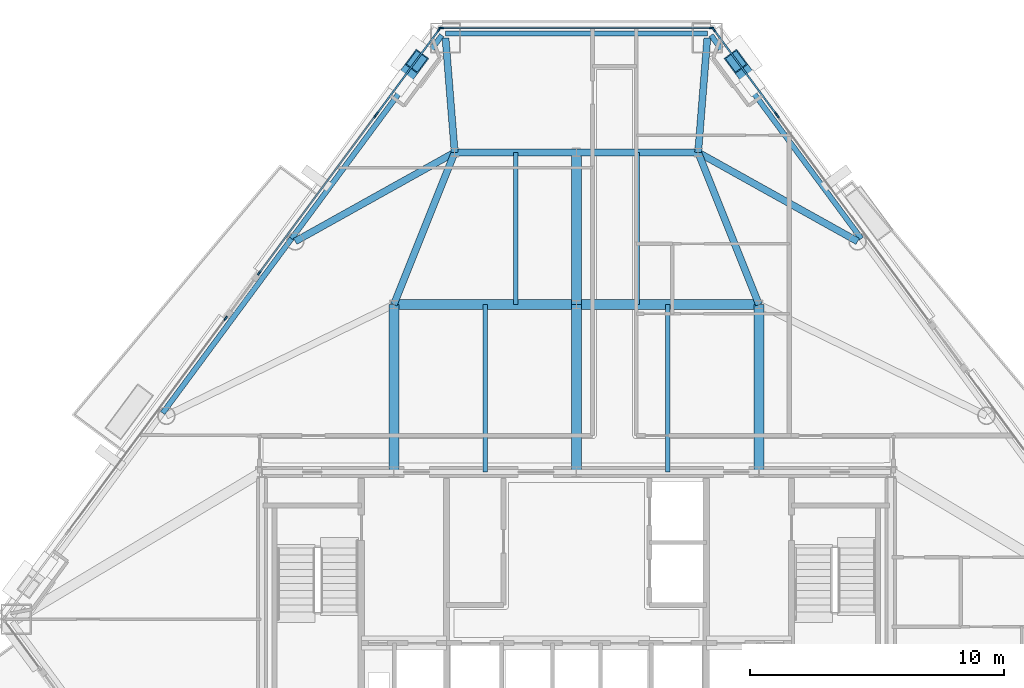
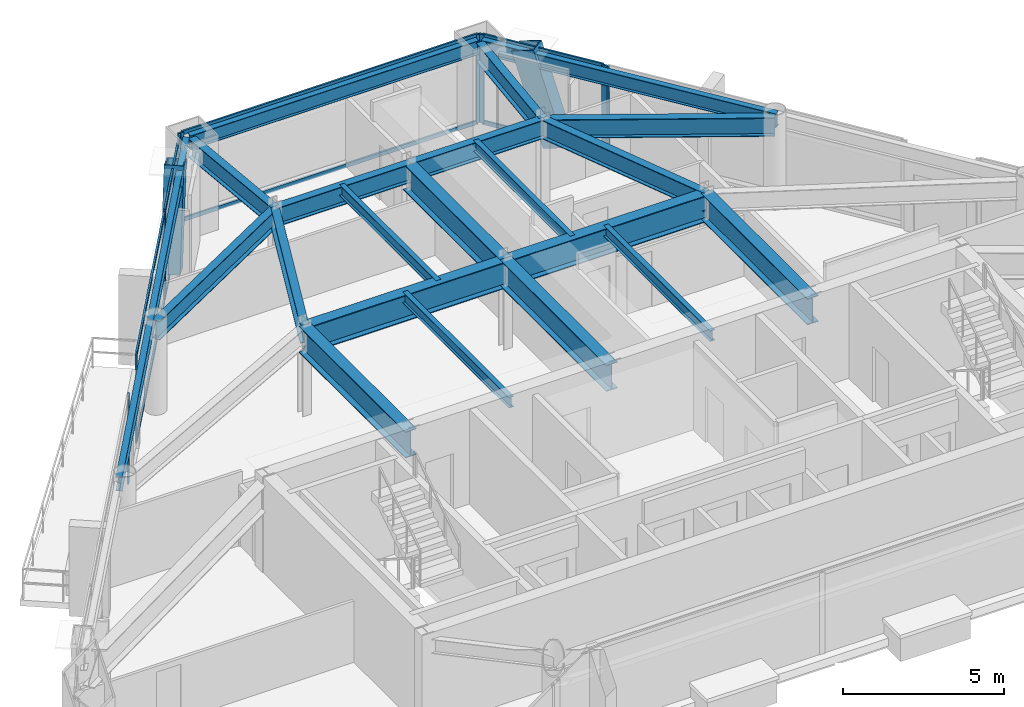
# One storey, part 4 of 11: 22 beams, 20 members, 6 elements without a shape of their own.
"""IFC4 building model written with IfcOpenShell, lengths in metres."""

import ifcopenshell
import ifcopenshell.guid

model = None  # the IFC model being written
_history = None  # IfcOwnerHistory: only IFC2X3 demands one
_inside = {}  # id of a spatial element -> (the spatial element, [elements in it])
_under = {}  # id of a project, library or spatial element -> (it, [spatial elements below it])
_declared = {}  # id of a project -> (the project, [libraries it declares])
_typed = {}  # id of a type object -> (the type object, [elements of that type])
_made_of = {}  # id of a material, layer set ... -> (it, [elements and type objects made of it])


def new_model(schema):
    """Start an empty IFC model of exactly this schema.

    Asked for "IFC4X3", IfcOpenShell would pick the latest addendum, in which some entities
    have other attributes; the version numbers below select the first issue.
    IFC2X3 requires an IfcOwnerHistory on every rooted entity: one is made here for all.
    """
    global model, _history
    if schema == "IFC4X3":
        model = ifcopenshell.file(schema_version=(4, 3, 0, 0))
    else:
        model = ifcopenshell.file(schema=schema)
    _inside.clear()
    _under.clear()
    _declared.clear()
    _typed.clear()
    _made_of.clear()
    _history = None
    if model.schema == "IFC2X3":
        org = make("IfcOrganization", Name="unknown")
        user = make(
            "IfcPersonAndOrganization",
            ThePerson=make("IfcPerson", FamilyName="unknown"),
            TheOrganization=org,
        )
        app = make(
            "IfcApplication",
            ApplicationDeveloper=org,
            Version="unknown",
            ApplicationFullName="unknown",
            ApplicationIdentifier="unknown",
        )
        _history = make(
            "IfcOwnerHistory",
            OwningUser=user,
            OwningApplication=app,
            ChangeAction="ADDED",
            CreationDate=0,
        )
    return model


def make(cls, **values):
    """One entity of the class cls with the attributes given. An attribute that is None is left unset."""
    return model.create_entity(
        cls, **{name: value for name, value in values.items() if value is not None}
    )


def rooted(cls, **values):
    """An entity with a GlobalId (a new one), such as an element, a storey or a relation."""
    return make(cls, GlobalId=ifcopenshell.guid.new(), OwnerHistory=_history, **values)


def si_unit(unit_type, name, prefix=None):
    """IfcSIUnit, for example si_unit("LENGTHUNIT", "METRE", prefix="MILLI")."""
    return make("IfcSIUnit", UnitType=unit_type, Prefix=prefix, Name=name)


def assignment(units):
    """IfcUnitAssignment: the units of a project."""
    return None if units is None else make("IfcUnitAssignment", Units=units)


def point(xyz):
    """IfcCartesianPoint."""
    return None if xyz is None else make("IfcCartesianPoint", Coordinates=xyz)


def direction(xyz):
    """IfcDirection."""
    return None if xyz is None else make("IfcDirection", DirectionRatios=xyz)


def frame(location, z_axis=None, x_axis=None):
    """IfcAxis2Placement3D, a coordinate frame: its origin and axes. An axis left out is left unset."""
    return make(
        "IfcAxis2Placement3D",
        Location=point(location),
        Axis=direction(z_axis),
        RefDirection=direction(x_axis),
    )


def frame_2d(location, x_axis=None):
    """IfcAxis2Placement2D, a coordinate frame in the plane: its origin and x axis."""
    return make(
        "IfcAxis2Placement2D", Location=point(location), RefDirection=direction(x_axis)
    )


def origin():
    """The frame at (0, 0, 0) with its axes left unset."""
    return frame((0.0, 0.0, 0.0))


def origin_2d():
    """The frame at (0, 0) in the plane with its x axis left unset."""
    return frame_2d((0.0, 0.0))


def place(relative_to, where):
    """IfcLocalPlacement: puts the frame where relative to a parent placement (None: the world)."""
    return make(
        "IfcLocalPlacement", PlacementRelTo=relative_to, RelativePlacement=where
    )


def context(
    kind, dimensions, precision=None, world=None, true_north=None, identifier=None
):
    """IfcGeometricRepresentationContext, for example the 3D "Model" context."""
    return make(
        "IfcGeometricRepresentationContext",
        ContextIdentifier=identifier,
        ContextType=kind,
        CoordinateSpaceDimension=dimensions,
        Precision=precision,
        WorldCoordinateSystem=world,
        TrueNorth=true_north,
    )


def subcontext(parent, identifier, kind, view, scale=None):
    """IfcGeometricRepresentationSubContext, for example "Body" below "Model"."""
    return make(
        "IfcGeometricRepresentationSubContext",
        ContextIdentifier=identifier,
        ContextType=kind,
        ParentContext=parent,
        TargetScale=scale,
        TargetView=view,
    )


def project(units=None, contexts=None):
    """IfcProject with its units and contexts."""
    return rooted(
        "IfcProject",
        Name="project",
        RepresentationContexts=contexts,
        UnitsInContext=assignment(units),
    )


def spatial(cls, under=None, at=None, **own):
    """A site, building, storey or space (cls), placed at a placement, below another one or the project."""
    s = rooted(cls, ObjectPlacement=at, **own)
    if under is not None:
        _under.setdefault(under.id(), (under, []))[1].append(s)
    return s


def profile(cls, at=None, kind="AREA", **sizes):
    """A parametric profile (cls). Its sizes go by their IFC names, for example OverallWidth=200.0."""
    return make(cls, ProfileType=kind, Position=at, **sizes)


def rectangle(**sizes):
    """IfcRectangleProfileDef."""
    return profile("IfcRectangleProfileDef", **sizes)


def hollow_rectangle(**sizes):
    """IfcRectangleHollowProfileDef."""
    return profile("IfcRectangleHollowProfileDef", **sizes)


def i_section(**sizes):
    """IfcIShapeProfileDef."""
    return profile("IfcIShapeProfileDef", **sizes)


def extrude(swept, where, along, depth):
    """IfcExtrudedAreaSolid: the profile swept, set in the frame where, extruded along a direction by depth."""
    return make(
        "IfcExtrudedAreaSolid",
        SweptArea=swept,
        Position=where,
        ExtrudedDirection=direction(along),
        Depth=depth,
    )


def shape(context_of_items, identifier, shape_type, items):
    """IfcShapeRepresentation: the items that make up one representation, for example the "Body"."""
    return make(
        "IfcShapeRepresentation",
        ContextOfItems=context_of_items,
        RepresentationIdentifier=identifier,
        RepresentationType=shape_type,
        Items=items,
    )


def material(Name=None, Category=None):
    """IfcMaterial."""
    return make("IfcMaterial", Name=Name, Category=Category)


def layer(
    of_material, thickness, ventilated=None, Name=None, Category=None, Priority=None
):
    """IfcMaterialLayer: one layer of a wall or slab, of a material (None: an air gap)."""
    return make(
        "IfcMaterialLayer",
        Material=of_material,
        LayerThickness=thickness,
        IsVentilated=ventilated,
        Name=Name,
        Category=Category,
        Priority=Priority,
    )


def layer_set(layers, Name=None):
    """IfcMaterialLayerSet."""
    return make("IfcMaterialLayerSet", MaterialLayers=layers, LayerSetName=Name)


def material_profile(
    of_material, cross_section, Name=None, Category=None, Priority=None
):
    """IfcMaterialProfile: a cross section and its material."""
    return make(
        "IfcMaterialProfile",
        Name=Name,
        Material=of_material,
        Profile=cross_section,
        Priority=Priority,
        Category=Category,
    )


def profile_set(profiles, Name=None, composite=None):
    """IfcMaterialProfileSet."""
    return make(
        "IfcMaterialProfileSet",
        Name=Name,
        MaterialProfiles=profiles,
        CompositeProfile=composite,
    )


def made_of(thing, what):
    """Note that an element or type object is made of a material, layer set ...; save() writes the relation."""
    if what is not None:
        _made_of.setdefault(what.id(), (what, []))[1].append(thing)
    return thing


def type_object(cls, material=None, **own):
    """A type object (cls), such as IfcWallType, which elements share."""
    return made_of(rooted(cls, **own), material)


def element(
    cls,
    number,
    at=None,
    inside=None,
    cuts=None,
    type_object=None,
    material=None,
    context=None,
    identifier="Body",
    shape_type=None,
    held_by="IfcProductDefinitionShape",
    body=None,
    shapes=None,
    **own,
):
    """One element of the class cls, such as IfcWall. Its Tag is "e" and its number.

    at: its placement. inside: the storey or other place that contains it. cuts: it is an
    opening in that element (IfcRelVoidsElement). A single representation is given by context,
    identifier, shape_type and body (its items); several are given by shapes. held_by: the class
    of the entity that holds the representations. save() writes the other relations.
    """
    e = rooted(cls, Tag="e%d" % number, ObjectPlacement=at, **own)
    if body is not None:
        shapes = [shape(context, identifier, shape_type, body)]
    if shapes is not None:
        e.Representation = make(held_by, Representations=shapes)
    if inside is not None:
        _inside.setdefault(inside.id(), (inside, []))[1].append(e)
    if cuts is not None:
        rooted(
            "IfcRelVoidsElement", RelatingBuildingElement=cuts, RelatedOpeningElement=e
        )
    if type_object is not None:
        _typed.setdefault(type_object.id(), (type_object, []))[1].append(e)
    return made_of(e, material)


def aggregate(whole, parts):
    """IfcRelAggregates: a whole, such as a stair, and the parts it consists of."""
    return rooted("IfcRelAggregates", RelatingObject=whole, RelatedObjects=parts)


def save(model, path):
    """Write the relations noted so far, then the file.

    IfcRelAggregates (storeys below a building ...), IfcRelContainedInSpatialStructure (elements
    in a storey), IfcRelDefinesByType, IfcRelAssociatesMaterial and IfcRelDeclares: one each for
    every whole, place, type object, material and project.
    """
    for whole, parts in _under.values():
        aggregate(whole, parts)
    for where, things in _inside.values():
        rooted(
            "IfcRelContainedInSpatialStructure",
            RelatedElements=things,
            RelatingStructure=where,
        )
    for kind, things in _typed.values():
        rooted("IfcRelDefinesByType", RelatedObjects=things, RelatingType=kind)
    for what, things in _made_of.values():
        rooted("IfcRelAssociatesMaterial", RelatedObjects=things, RelatingMaterial=what)
    for by, libraries in _declared.values():
        rooted("IfcRelDeclares", RelatingContext=by, RelatedDefinitions=libraries)
    model.write(path)


model = new_model("IFC4")

# Units and contexts
model_context = context("Model", 3, precision=1e-05, world=origin(), true_north=direction((0.0, 1.0)))
body_context = subcontext(model_context, "Body", "Model", "MODEL_VIEW")
ifc_project = project(units=[si_unit("LENGTHUNIT", "METRE"), si_unit("AREAUNIT", "SQUARE_METRE"), si_unit("VOLUMEUNIT", "CUBIC_METRE"), si_unit("PLANEANGLEUNIT", "RADIAN"), si_unit("MASSUNIT", "GRAM", prefix="KILO")], contexts=[model_context])

# Site, building, storey
site_placement = place(None, origin())
site = spatial("IfcSite", under=ifc_project, at=site_placement, CompositionType="ELEMENT")
building_placement = place(site_placement, origin())
building = spatial("IfcBuilding", under=site, at=building_placement, Name="Talgorran Terracotta Tower", CompositionType="ELEMENT")
storey_placement = place(building_placement, frame((0.0, 0.0, 129.300048828125)))
storey = spatial("IfcBuildingStorey", under=building, at=storey_placement, Name="L33", CompositionType="ELEMENT", Elevation=129.300048828125)

# Beams
ifc_material_1 = material(Name="Steel Grade 350 (350L0)", Category="steel")
ifc_material_profile_1 = material_profile(ifc_material_1, i_section(OverallWidth=0.39990234375, OverallDepth=1.0, WebThickness=0.01611328125, FlangeThickness=0.031005859375, at=origin_2d()), Name="1000WB296")
ifc_profile_set_1 = profile_set([ifc_material_profile_1], Name="Steel Grade 350 (350L0)")
beam_type_1 = type_object("IfcBeamType", Name="BM_1000WB296", PredefinedType="BEAM", material=ifc_profile_set_1)
for number, where, z_axis, x_axis, name in (
    (1, (-7.199951171875, -4.199951171875, 2.849853515625), (0.0, 1.0, 0.0), (-1.0, 0.0, 0.0), "L33 Floor Girder G01"),
    (2, (0.0, -4.199951171875, 2.849853515625), (0.0, 1.0, 0.0), (-1.0, 0.0, 0.0), "L33 Floor Girder G02"),
    (3, (7.199951171875, -4.199951171875, 2.849853515625), (0.0, 1.0, 0.0), (-1.0, 0.0, 0.0), "L33 Floor Girder G03"),
):
    element("IfcBeam", number, at=place(storey_placement, frame(where, z_axis=z_axis, x_axis=x_axis)), inside=storey, type_object=beam_type_1, Name=name, PredefinedType="BEAM", context=body_context, shape_type="SweptSolid", body=[
        extrude(i_section(OverallWidth=0.39990234375, OverallDepth=1.0, WebThickness=0.01611328125, FlangeThickness=0.031005859375, at=origin_2d()), origin(), (0.0, 0.0, 1.0), 6.599853515625),
    ])
for number, where, z_axis, x_axis, name in (
    (4, (-7.199951171875, 2.39990234375, 2.849853515625), (1.0, 0.0, 0.0), (0.0, 1.0, 0.0), "L33 Floor Girder G04"),
    (5, (0.0, 2.39990234375, 2.849853515625), (1.0, 0.0, 0.0), (0.0, 1.0, 0.0), "L33 Floor Girder G05"),
):
    element("IfcBeam", number, at=place(storey_placement, frame(where, z_axis=z_axis, x_axis=x_axis)), inside=storey, type_object=beam_type_1, Name=name, PredefinedType="BEAM", context=body_context, shape_type="SweptSolid", body=[
        extrude(i_section(OverallWidth=0.39990234375, OverallDepth=1.0, WebThickness=0.01611328125, FlangeThickness=0.031005859375, at=origin_2d()), origin(), (0.0, 0.0, 1.0), 7.199951171875),
    ])
beam_1_placement = place(storey_placement, frame((0.0, 2.39990234375, 2.849853515625), z_axis=(0.0, 1.0, 0.0), x_axis=(-1.0, 0.0, 0.0)))
element("IfcBeam", 6, at=beam_1_placement, inside=storey, type_object=beam_type_1, Name="L33 Floor Girder G09", PredefinedType="BEAM", context=body_context, shape_type="SweptSolid", body=[
    extrude(i_section(OverallWidth=0.39990234375, OverallDepth=1.0, WebThickness=0.01611328125, FlangeThickness=0.031005859375, at=origin_2d()), origin(), (0.0, 0.0, 1.0), 6.0),
])
ifc_material_2 = material(Name="Steel S355 (300PLUS)", Category="steel")
ifc_material_profile_2 = material_profile(ifc_material_2, i_section(OverallWidth=0.27490234375, OverallDepth=0.7080078125, WebThickness=0.011962890625, FlangeThickness=0.02490234375, at=origin_2d()), Name="700WB173")
ifc_profile_set_2 = profile_set([ifc_material_profile_2], Name="Steel S355 (300PLUS)")
beam_type_2 = type_object("IfcBeamType", Name="BM_700WB173", PredefinedType="BEAM", material=ifc_profile_set_2)
for number, where, z_axis, x_axis, name in (
    (7, (-7.199951171875, 2.39990234375, 2.995849609375), (0.371377648723, 0.928481901832, 0.0), (-0.928481901832, 0.371377648723, 0.0), "L33 Floor Girder G08"),
    (8, (7.199951171875, 2.39990234375, 2.995849609375), (-0.371377648723, 0.928481901832, 0.0), (-0.928481901832, -0.371377648723, 0.0), "L33 Floor Girder G10"),
):
    element("IfcBeam", number, at=place(storey_placement, frame(where, z_axis=z_axis, x_axis=x_axis)), inside=storey, type_object=beam_type_2, Name=name, PredefinedType="BEAM", context=body_context, shape_type="SweptSolid", body=[
        extrude(i_section(OverallWidth=0.27490234375, OverallDepth=0.7080078125, WebThickness=0.011962890625, FlangeThickness=0.02490234375, at=origin_2d()), origin(), (0.0, 0.0, 1.0), 6.462158203125),
    ])
for number, where, z_axis, x_axis, name in (
    (9, (-4.800048828125, 8.39990234375, 2.995849609375), (1.0, 0.0, 0.0), (0.0, 1.0, 0.0), "L33 Floor Girder G11"),
    (10, (0.0, 8.39990234375, 2.995849609375), (1.0, 0.0, 0.0), (0.0, 1.0, 0.0), "L33 Floor Girder G12"),
):
    element("IfcBeam", number, at=place(storey_placement, frame(where, z_axis=z_axis, x_axis=x_axis)), inside=storey, type_object=beam_type_2, Name=name, PredefinedType="BEAM", context=body_context, shape_type="SweptSolid", body=[
        extrude(i_section(OverallWidth=0.27490234375, OverallDepth=0.7080078125, WebThickness=0.011962890625, FlangeThickness=0.02490234375, at=origin_2d()), origin(), (0.0, 0.0, 1.0), 4.800048828125),
    ])
for number, where, z_axis, x_axis, name in (
    (11, (-4.800048828125, 8.39990234375, 2.995849609375), (-0.873422120385, -0.48696385864, 0.0), (0.48696385864, -0.873422120385, 0.0), "L33 Floor Girder G13"),
    (12, (4.800048828125, 8.39990234375, 2.995849609375), (0.873422120385, -0.48696385864, 0.0), (0.48696385864, 0.873422120385, 0.0), "L33 Floor Girder G14"),
):
    element("IfcBeam", number, at=place(storey_placement, frame(where, z_axis=z_axis, x_axis=x_axis)), inside=storey, type_object=beam_type_2, Name=name, PredefinedType="BEAM", context=body_context, shape_type="SweptSolid", body=[
        extrude(i_section(OverallWidth=0.27490234375, OverallDepth=0.7080078125, WebThickness=0.011962890625, FlangeThickness=0.02490234375, at=origin_2d()), origin(), (0.0, 0.0, 1.0), 7.199951171875),
    ])
for number, where, z_axis, x_axis, name in (
    (13, (-4.800048828125, 8.39990234375, 2.995849609375), (-0.079850226008, 0.996806872672, 0.0), (-0.996806872672, -0.079850226008, 0.0), "L33 Floor Girder G15"),
    (14, (4.800048828125, 8.39990234375, 2.995849609375), (0.079850226008, 0.996806872672, 0.0), (-0.996806872672, 0.079850226008, 0.0), "L33 Floor Girder G16"),
):
    element("IfcBeam", number, at=place(storey_placement, frame(where, z_axis=z_axis, x_axis=x_axis)), inside=storey, type_object=beam_type_2, Name=name, PredefinedType="BEAM", context=body_context, shape_type="SweptSolid", body=[
        extrude(i_section(OverallWidth=0.27490234375, OverallDepth=0.7080078125, WebThickness=0.011962890625, FlangeThickness=0.02490234375, at=origin_2d()), origin(), (0.0, 0.0, 1.0), 4.528076171875),
    ])
ifc_material_profile_3 = material_profile(ifc_material_2, i_section(OverallWidth=0.177734375, OverallDepth=0.406494140625, WebThickness=0.0078125, FlangeThickness=0.0126953125, at=origin_2d()), Name="410UB59.7")
ifc_profile_set_3 = profile_set([ifc_material_profile_3], Name="Steel S355 (300PLUS)")
beam_type_3 = type_object("IfcBeamType", Name="BM_JS_410UB60", PredefinedType="JOIST", material=ifc_profile_set_3)
for number, where, z_axis, x_axis, name in (
    (15, (-3.60009765625, -4.199951171875, 3.146728515625), (0.0, 1.0, 0.0), (-1.0, 0.0, 0.0), "L33 Secondary Joist J01"),
    (16, (3.60009765625, -4.199951171875, 3.146728515625), (0.0, 1.0, 0.0), (-1.0, 0.0, 0.0), "L33 Secondary Joist J02"),
):
    element("IfcBeam", number, at=place(storey_placement, frame(where, z_axis=z_axis, x_axis=x_axis)), inside=storey, type_object=beam_type_3, Name=name, PredefinedType="JOIST", context=body_context, shape_type="SweptSolid", body=[
        extrude(i_section(OverallWidth=0.177734375, OverallDepth=0.406494140625, WebThickness=0.0078125, FlangeThickness=0.0126953125, at=origin_2d()), origin(), (0.0, 0.0, 1.0), 6.599853515625),
    ])
for number, where, z_axis, x_axis, name in (
    (17, (-2.39990234375, 2.39990234375, 3.146728515625), (0.0, 1.0, 0.0), (-1.0, 0.0, 0.0), "L33 Secondary Joist J03"),
    (18, (2.39990234375, 2.39990234375, 3.146728515625), (0.0, 1.0, 0.0), (-1.0, 0.0, 0.0), "L33 Secondary Joist J04"),
):
    element("IfcBeam", number, at=place(storey_placement, frame(where, z_axis=z_axis, x_axis=x_axis)), inside=storey, type_object=beam_type_3, Name=name, PredefinedType="JOIST", context=body_context, shape_type="SweptSolid", body=[
        extrude(i_section(OverallWidth=0.177734375, OverallDepth=0.406494140625, WebThickness=0.0078125, FlangeThickness=0.0126953125, at=origin_2d()), origin(), (0.0, 0.0, 1.0), 6.0),
    ])
ifc_material_profile_4 = material_profile(ifc_material_2, i_section(OverallWidth=0.209228515625, OverallDepth=0.532958984375, WebThickness=0.01025390625, FlangeThickness=0.015625, at=origin_2d()), Name="530UB92.4")
ifc_profile_set_4 = profile_set([ifc_material_profile_4], Name="Steel S355 (300PLUS)")
beam_type_4 = type_object("IfcBeamType", Name="BM_SP_530UB92", PredefinedType="SPANDREL", material=ifc_profile_set_4)
beam_2_placement = place(storey_placement, frame((11.2333984375, 5.000732421875, 3.08349609375), z_axis=(-0.594348381438, 0.80420768554, 0.0), x_axis=(-0.80420768554, -0.594348381438, 0.0)))
element("IfcBeam", 19, at=beam_2_placement, inside=storey, type_object=beam_type_4, Name="L33 Perimeter Spandrel Beam FC4-MC5", PredefinedType="SPANDREL", context=body_context, shape_type="SweptSolid", body=[
    extrude(i_section(OverallWidth=0.209228515625, OverallDepth=0.532958984375, WebThickness=0.01025390625, FlangeThickness=0.015625, at=origin_2d()), origin(), (0.0, 0.0, 1.0), 9.97216796875),
])
beam_3_placement = place(storey_placement, frame((5.16162109375, 13.093505859375, 3.08349609375), z_axis=(-1.0, 0.0, 0.0), x_axis=(0.0, -1.0, 0.0)))
element("IfcBeam", 20, at=beam_3_placement, inside=storey, type_object=beam_type_4, Name="L33 Perimeter Spandrel Beam MC5-MC6", PredefinedType="SPANDREL", context=body_context, shape_type="SweptSolid", body=[
    extrude(i_section(OverallWidth=0.209228515625, OverallDepth=0.532958984375, WebThickness=0.01025390625, FlangeThickness=0.015625, at=origin_2d()), origin(), (0.0, 0.0, 1.0), 10.3232421875),
])
beam_4_placement = place(storey_placement, frame((-5.306396484375, 13.0205078125, 3.08349609375), z_axis=(-0.594348381438, -0.80420768554, 0.0), x_axis=(0.80420768554, -0.594348381438, 0.0)))
element("IfcBeam", 21, at=beam_4_placement, inside=storey, type_object=beam_type_4, Name="L33 Perimeter Spandrel Beam MC6-FC5", PredefinedType="SPANDREL", context=body_context, shape_type="SweptSolid", body=[
    extrude(i_section(OverallWidth=0.209228515625, OverallDepth=0.532958984375, WebThickness=0.01025390625, FlangeThickness=0.015625, at=origin_2d()), origin(), (0.0, 0.0, 1.0), 9.97216796875),
])
beam_5_placement = place(storey_placement, frame((-11.2333984375, 5.000732421875, 3.08349609375), z_axis=(-0.594373393058, -0.804189200142, 0.0), x_axis=(0.804189200142, -0.594373393058, 0.0)))
element("IfcBeam", 22, at=beam_5_placement, inside=storey, type_object=beam_type_4, Name="L33 Perimeter Spandrel Beam FC5-FC6", PredefinedType="SPANDREL", context=body_context, shape_type="SweptSolid", body=[
    extrude(i_section(OverallWidth=0.209228515625, OverallDepth=0.532958984375, WebThickness=0.01025390625, FlangeThickness=0.015625, at=origin_2d()), origin(), (0.0, 0.0, 1.0), 8.5478515625),
])

# Members
ifc_material_profile_5 = material_profile(ifc_material_1, hollow_rectangle(XDim=0.6201171875, YDim=0.780029296875, WallThickness=0.0419921875, at=origin_2d()), Name="WBOX780X620X42")
ifc_profile_set_5 = profile_set([ifc_material_profile_5], Name="Steel Grade 350 (350L0)")
member_type_1 = type_object("IfcMemberType", Name="MB_MEGA_780", PredefinedType="BRACE", material=ifc_profile_set_5)
for number, where, z_axis, x_axis, name in (
    (23, (6.925537109375, 11.13232421875, -0.025146484375), (-0.17854593632, 0.241554091831, 0.953820197597), (-0.804166664466, -0.594403882694, 0.0), "L33 Exterior Face Mega-Brace MB-2 (NEU)"),
    (24, (-6.925537109375, 11.13232421875, -0.025146484375), (0.17854593632, 0.241554091831, 0.953820197597), (-0.804166664466, 0.594403882694, 0.0), "L33 Exterior Face Mega-Brace MB-2 (NWU)"),
):
    element("IfcMember", number, at=place(storey_placement, frame(where, z_axis=z_axis, x_axis=x_axis)), inside=storey, type_object=member_type_1, Name=name, PredefinedType="BRACE", context=body_context, shape_type="SweptSolid", body=[
        extrude(hollow_rectangle(XDim=0.6201171875, YDim=0.780029296875, WallThickness=0.0419921875, at=origin_2d()), origin(), (0.0, 0.0, 1.0), 3.564697265625),
    ])

# Curtain wall, member
ifc_material_3 = material(Name="Unitised Low-E Double Glazing", Category="glass")
ifc_layer = layer(ifc_material_3, 0.199951171875, Name="CW_SYS2_RES_LOW")
ifc_layer_set = layer_set([ifc_layer], Name="Unitised Low-E Double Glazing")
curtain_wall_type = type_object("IfcCurtainWallType", Name="CW_SYS2_RES_LOW", PredefinedType="NOTDEFINED", material=ifc_layer_set)
curtain_wall_1_placement = place(storey_placement, origin())
curtain_wall_1 = element("IfcCurtainWall", 25, at=curtain_wall_1_placement, inside=storey, type_object=curtain_wall_type, Name="CW-L33-F41", PredefinedType="NOTDEFINED")
ifc_material_4 = material(Name="Architectural Aluminium 6063-T6", Category="aluminium")
ifc_material_profile_6 = material_profile(ifc_material_4, rectangle(XDim=0.06494140625, YDim=0.18505859375, at=origin_2d()), Name="CWM65X185")
ifc_profile_set_6 = profile_set([ifc_material_profile_6], Name="Architectural Aluminium 6063-T6")
member_type_2 = type_object("IfcMemberType", Name="MUL_65X185", PredefinedType="MULLION", material=ifc_profile_set_6)
member_1_placement = place(storey_placement, frame((7.9267578125, 9.844970703125, 0.0), z_axis=(0.0, 0.0, 1.0), x_axis=(-0.804202196164, -0.594355808995, 0.0)))
member_1 = element("IfcMember", 26, at=member_1_placement, type_object=member_type_2, Name="CW-L33-41 mullion 2", PredefinedType="MULLION", context=body_context, shape_type="SweptSolid", body=[
    extrude(rectangle(XDim=0.06494140625, YDim=0.18505859375, at=origin_2d()), origin(), (0.0, 0.0, 1.0), 3.349853515625),
])
aggregate(curtain_wall_1, [member_1])

# Curtain wall, members
curtain_wall_2_placement = place(storey_placement, origin())
curtain_wall_2 = element("IfcCurtainWall", 27, at=curtain_wall_2_placement, inside=storey, type_object=curtain_wall_type, Name="CW-L33-F41B", PredefinedType="NOTDEFINED")
member_2_placement = place(storey_placement, frame((7.882080078125, 9.9052734375, 0.0), z_axis=(0.0, 0.0, 1.0), x_axis=(-0.804209546367, -0.594345863562, 0.0)))
member_2 = element("IfcMember", 28, at=member_2_placement, type_object=member_type_2, Name="CW-L33-41B mullion 1", PredefinedType="MULLION", context=body_context, shape_type="SweptSolid", body=[
    extrude(rectangle(XDim=0.06494140625, YDim=0.18505859375, at=origin_2d()), origin(), (0.0, 0.0, 1.0), 3.349853515625),
])
member_3_placement = place(storey_placement, frame((5.406494140625, 13.255126953125, 0.0), z_axis=(0.0, 0.0, 1.0), x_axis=(-0.804209546367, -0.594345863562, 0.0)))
member_3 = element("IfcMember", 29, at=member_3_placement, type_object=member_type_2, Name="CW-L33-41B mullion 2", PredefinedType="MULLION", context=body_context, shape_type="SweptSolid", body=[
    extrude(rectangle(XDim=0.06494140625, YDim=0.18505859375, at=origin_2d()), origin(), (0.0, 0.0, 1.0), 3.349853515625),
])

curtain_wall_3_placement = place(storey_placement, origin())
curtain_wall_3 = element("IfcCurtainWall", 30, at=curtain_wall_3_placement, inside=storey, type_object=curtain_wall_type, Name="CW-L33-F4", PredefinedType="NOTDEFINED")
member_4_placement = place(storey_placement, frame((5.330810546875, 13.3134765625, 0.0), z_axis=(0.0, 0.0, 1.0), x_axis=(0.0, -1.0, 0.0)))
member_4 = element("IfcMember", 31, at=member_4_placement, type_object=member_type_2, Name="CW-L33-4 mullion 1", PredefinedType="MULLION", context=body_context, shape_type="SweptSolid", body=[
    extrude(rectangle(XDim=0.06494140625, YDim=0.18505859375, at=origin_2d()), origin(), (0.0, 0.0, 1.0), 3.349853515625),
])
member_5_placement = place(storey_placement, frame((-5.330810546875, 13.3134765625, 0.0), z_axis=(0.0, 0.0, 1.0), x_axis=(0.0, -1.0, 0.0)))
member_5 = element("IfcMember", 32, at=member_5_placement, type_object=member_type_2, Name="CW-L33-4 mullion 2", PredefinedType="MULLION", context=body_context, shape_type="SweptSolid", body=[
    extrude(rectangle(XDim=0.06494140625, YDim=0.18505859375, at=origin_2d()), origin(), (0.0, 0.0, 1.0), 3.349853515625),
])

curtain_wall_4_placement = place(storey_placement, origin())
curtain_wall_4 = element("IfcCurtainWall", 33, at=curtain_wall_4_placement, inside=storey, type_object=curtain_wall_type, Name="CW-L33-F60", PredefinedType="NOTDEFINED")
member_6_placement = place(storey_placement, frame((-5.406494140625, 13.255126953125, 0.0), z_axis=(0.0, 0.0, 1.0), x_axis=(0.804198247621, -0.594361151593, 0.0)))
member_6 = element("IfcMember", 34, at=member_6_placement, type_object=member_type_2, Name="CW-L33-60 mullion 1", PredefinedType="MULLION", context=body_context, shape_type="SweptSolid", body=[
    extrude(rectangle(XDim=0.06494140625, YDim=0.18505859375, at=origin_2d()), origin(), (0.0, 0.0, 1.0), 3.349853515625),
])
member_7_placement = place(storey_placement, frame((-7.882080078125, 9.9052734375, 0.0), z_axis=(0.0, 0.0, 1.0), x_axis=(0.804198247621, -0.594361151593, 0.0)))
member_7 = element("IfcMember", 35, at=member_7_placement, type_object=member_type_2, Name="CW-L33-60 mullion 2", PredefinedType="MULLION", context=body_context, shape_type="SweptSolid", body=[
    extrude(rectangle(XDim=0.06494140625, YDim=0.18505859375, at=origin_2d()), origin(), (0.0, 0.0, 1.0), 3.349853515625),
])

curtain_wall_5_placement = place(storey_placement, origin())
curtain_wall_5 = element("IfcCurtainWall", 36, at=curtain_wall_5_placement, inside=storey, type_object=curtain_wall_type, Name="CW-L33-F60B", PredefinedType="NOTDEFINED")
member_8_placement = place(storey_placement, frame((-7.9267578125, 9.844970703125, 0.0), z_axis=(0.0, 0.0, 1.0), x_axis=(0.804195931251, -0.594364285737, 0.0)))
member_8 = element("IfcMember", 37, at=member_8_placement, type_object=member_type_2, Name="CW-L33-60B mullion 1", PredefinedType="MULLION", context=body_context, shape_type="SweptSolid", body=[
    extrude(rectangle(XDim=0.06494140625, YDim=0.18505859375, at=origin_2d()), origin(), (0.0, 0.0, 1.0), 3.349853515625),
])
member_9_placement = place(storey_placement, frame((-12.5068359375, 3.64794921875, 0.0), z_axis=(0.0, 0.0, 1.0), x_axis=(0.804195931251, -0.594364285737, 0.0)))
member_9 = element("IfcMember", 38, at=member_9_placement, type_object=member_type_2, Name="CW-L33-60B mullion 2", PredefinedType="MULLION", context=body_context, shape_type="SweptSolid", body=[
    extrude(rectangle(XDim=0.06494140625, YDim=0.18505859375, at=origin_2d()), origin(), (0.0, 0.0, 1.0), 3.349853515625),
])

# Curtain wall, member
curtain_wall_6_placement = place(storey_placement, origin())
curtain_wall_6 = element("IfcCurtainWall", 39, at=curtain_wall_6_placement, inside=storey, type_object=curtain_wall_type, Name="CW-L33-F61", PredefinedType="NOTDEFINED")
member_10_placement = place(storey_placement, frame((-13.829345703125, 1.8583984375, 0.0), z_axis=(0.0, 0.0, 1.0), x_axis=(0.804198531068, -0.594360768076, 0.0)))
member_10 = element("IfcMember", 40, at=member_10_placement, type_object=member_type_2, Name="CW-L33-61 mullion 1", PredefinedType="MULLION", context=body_context, shape_type="SweptSolid", body=[
    extrude(rectangle(XDim=0.06494140625, YDim=0.18505859375, at=origin_2d()), origin(), (0.0, 0.0, 1.0), 3.349853515625),
])
aggregate(curtain_wall_6, [member_10])

# Member
ifc_material_profile_7 = material_profile(ifc_material_4, rectangle(XDim=0.06494140625, YDim=0.14990234375, at=origin_2d()), Name="CWT65X150")
ifc_profile_set_7 = profile_set([ifc_material_profile_7], Name="Architectural Aluminium 6063-T6")
member_type_3 = type_object("IfcMemberType", Name="TRN_65X150", PredefinedType="USERDEFINED", material=ifc_profile_set_7)
member_11_placement = place(storey_placement, frame((7.86279296875, 9.931396484375, 0.032470703125), z_axis=(-0.594335813431, 0.804216973754, 0.0), x_axis=(-0.804216973754, -0.594335813431, 0.0)))
member_11 = element("IfcMember", 41, at=member_11_placement, type_object=member_type_3, Name="CW-L33-41B transom 1.1", ObjectType="TRANSOM", PredefinedType="USERDEFINED", context=body_context, shape_type="SweptSolid", body=[
    extrude(rectangle(XDim=0.06494140625, YDim=0.14990234375, at=origin_2d()), origin(), (0.0, 0.0, 1.0), 4.100341796875),
])

member_12_placement = place(storey_placement, frame((7.86279296875, 9.931396484375, 3.3173828125), z_axis=(-0.594335813431, 0.804216973754, 0.0), x_axis=(-0.804216973754, -0.594335813431, 0.0)))
member_12 = element("IfcMember", 42, at=member_12_placement, type_object=member_type_3, Name="CW-L33-41B transom 1.2", ObjectType="TRANSOM", PredefinedType="USERDEFINED", context=body_context, shape_type="SweptSolid", body=[
    extrude(rectangle(XDim=0.06494140625, YDim=0.14990234375, at=origin_2d()), origin(), (0.0, 0.0, 1.0), 4.100341796875),
])

aggregate(curtain_wall_2, [member_2, member_3, member_11, member_12])

member_13_placement = place(storey_placement, frame((5.29833984375, 13.3134765625, 0.032470703125), z_axis=(-1.0, 0.0, 0.0), x_axis=(0.0, -1.0, 0.0)))
member_13 = element("IfcMember", 43, at=member_13_placement, type_object=member_type_3, Name="CW-L33-4 transom 1.1", ObjectType="TRANSOM", PredefinedType="USERDEFINED", context=body_context, shape_type="SweptSolid", body=[
    extrude(rectangle(XDim=0.06494140625, YDim=0.14990234375, at=origin_2d()), origin(), (0.0, 0.0, 1.0), 10.5966796875),
])

member_14_placement = place(storey_placement, frame((5.29833984375, 13.3134765625, 3.3173828125), z_axis=(-1.0, 0.0, 0.0), x_axis=(0.0, -1.0, 0.0)))
member_14 = element("IfcMember", 44, at=member_14_placement, type_object=member_type_3, Name="CW-L33-4 transom 1.2", ObjectType="TRANSOM", PredefinedType="USERDEFINED", context=body_context, shape_type="SweptSolid", body=[
    extrude(rectangle(XDim=0.06494140625, YDim=0.14990234375, at=origin_2d()), origin(), (0.0, 0.0, 1.0), 10.5966796875),
])

aggregate(curtain_wall_3, [member_4, member_5, member_13, member_14])

member_15_placement = place(storey_placement, frame((-5.42578125, 13.22900390625, 0.032470703125), z_axis=(-0.594335813431, -0.804216973754, 0.0), x_axis=(0.804216973754, -0.594335813431, 0.0)))
member_15 = element("IfcMember", 45, at=member_15_placement, type_object=member_type_3, Name="CW-L33-60 transom 1.1", ObjectType="TRANSOM", PredefinedType="USERDEFINED", context=body_context, shape_type="SweptSolid", body=[
    extrude(rectangle(XDim=0.06494140625, YDim=0.14990234375, at=origin_2d()), origin(), (0.0, 0.0, 1.0), 4.100341796875),
])

member_16_placement = place(storey_placement, frame((-5.42578125, 13.22900390625, 3.3173828125), z_axis=(-0.594335813431, -0.804216973754, 0.0), x_axis=(0.804216973754, -0.594335813431, 0.0)))
member_16 = element("IfcMember", 46, at=member_16_placement, type_object=member_type_3, Name="CW-L33-60 transom 1.2", ObjectType="TRANSOM", PredefinedType="USERDEFINED", context=body_context, shape_type="SweptSolid", body=[
    extrude(rectangle(XDim=0.06494140625, YDim=0.14990234375, at=origin_2d()), origin(), (0.0, 0.0, 1.0), 4.100341796875),
])

aggregate(curtain_wall_4, [member_6, member_7, member_15, member_16])

member_17_placement = place(storey_placement, frame((-7.946044921875, 9.81884765625, 0.032470703125), z_axis=(-0.59436680403, -0.804194070027, 0.0), x_axis=(0.804194070027, -0.59436680403, 0.0)))
member_17 = element("IfcMember", 47, at=member_17_placement, type_object=member_type_3, Name="CW-L33-60B transom 1.1", ObjectType="TRANSOM", PredefinedType="USERDEFINED", context=body_context, shape_type="SweptSolid", body=[
    extrude(rectangle(XDim=0.06494140625, YDim=0.14990234375, at=origin_2d()), origin(), (0.0, 0.0, 1.0), 7.640869140625),
])

member_18_placement = place(storey_placement, frame((-7.946044921875, 9.81884765625, 3.3173828125), z_axis=(-0.59436680403, -0.804194070027, 0.0), x_axis=(0.804194070027, -0.59436680403, 0.0)))
member_18 = element("IfcMember", 48, at=member_18_placement, type_object=member_type_3, Name="CW-L33-60B transom 1.2", ObjectType="TRANSOM", PredefinedType="USERDEFINED", context=body_context, shape_type="SweptSolid", body=[
    extrude(rectangle(XDim=0.06494140625, YDim=0.14990234375, at=origin_2d()), origin(), (0.0, 0.0, 1.0), 7.640869140625),
])

aggregate(curtain_wall_5, [member_8, member_9, member_17, member_18])

save(model, "model.ifc")
